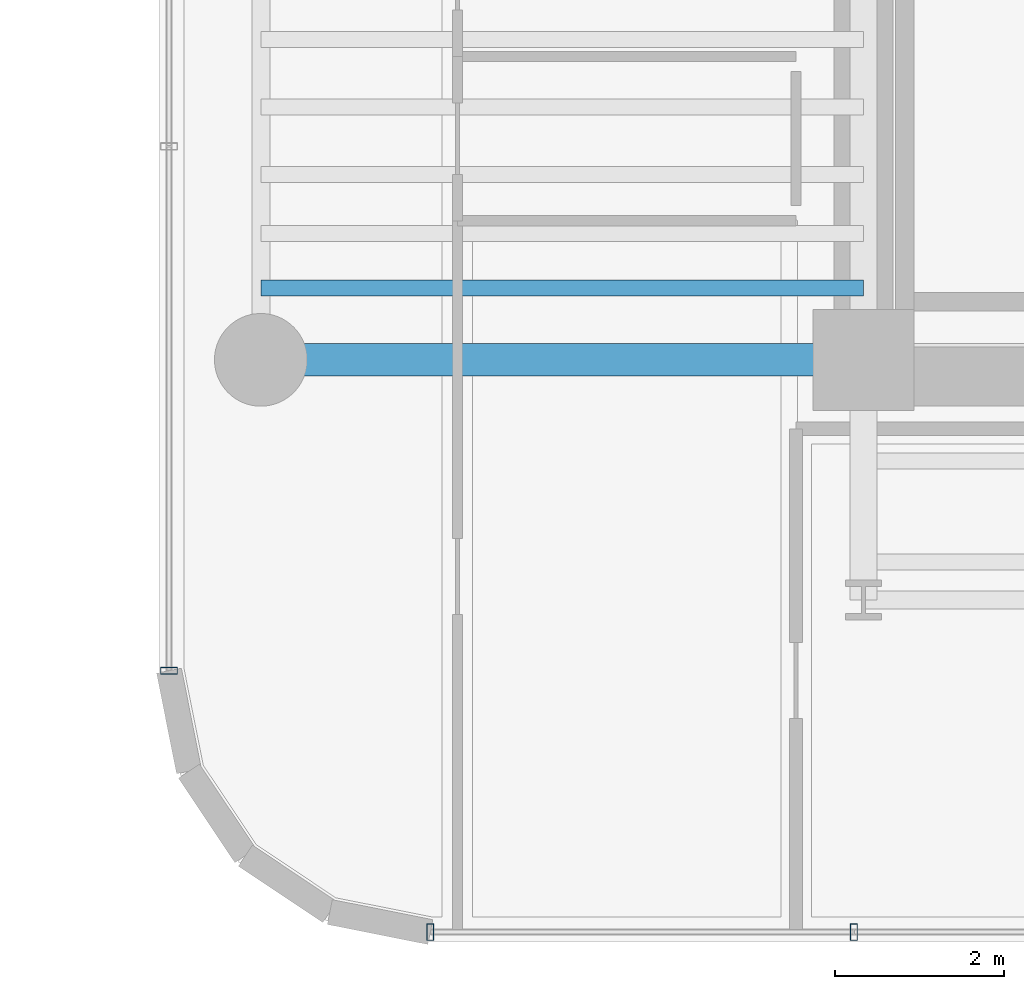
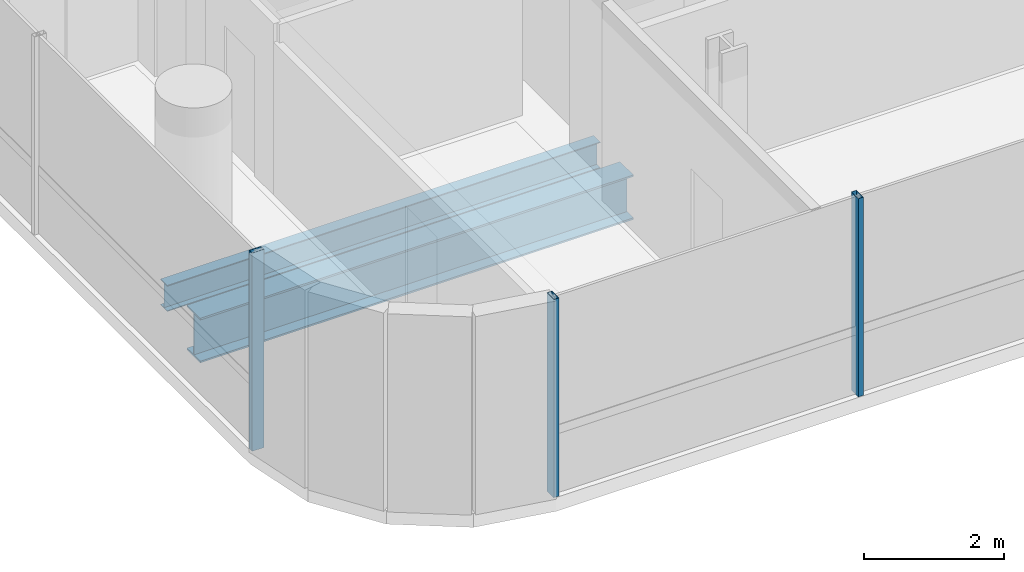
# One storey, part 2 of 35: 3 members, 2 beams, 2 elements without a shape of their own.
"""IFC4 building model written with IfcOpenShell, lengths in metres."""

from ifc_helpers import new_model, si_unit, direction, frame, origin, origin_2d, place, context, subcontext, project, spatial, hollow_rectangle, i_section, extrude, source, transform, mapped, material, material_profile, profile_set, type_object, element, aggregate, save


model = new_model("IFC4")

# Units and contexts
model_context = context("Model", 3, precision=1e-05, world=origin(), true_north=direction((0.0, 1.0)))
body_context = subcontext(model_context, "Body", "Model", "MODEL_VIEW")
ifc_project = project(units=[si_unit("LENGTHUNIT", "METRE"), si_unit("AREAUNIT", "SQUARE_METRE"), si_unit("VOLUMEUNIT", "CUBIC_METRE"), si_unit("PLANEANGLEUNIT", "RADIAN"), si_unit("MASSUNIT", "GRAM", prefix="KILO")], contexts=[model_context])

# Site, building, storey
site_placement = place(None, origin())
site = spatial("IfcSite", under=ifc_project, at=site_placement, CompositionType="ELEMENT")
building_placement = place(site_placement, origin())
building = spatial("IfcBuilding", under=site, at=building_placement, Name="Valdorenza Pilgrim Sanctuary Tower", CompositionType="ELEMENT")
storey_placement = place(building_placement, frame((0.0, 0.0, 150.10009765625)))
storey = spatial("IfcBuildingStorey", under=building, at=storey_placement, Name="L38", CompositionType="ELEMENT", Elevation=150.10009765625)

# Beams
ifc_material_1 = material(Name="Steel ASTM A992 Grade 50", Category="steel")
ifc_material_profile_1 = material_profile(ifc_material_1, i_section(OverallWidth=0.382080078125, OverallDepth=0.779052734375, WebThickness=0.01806640625, FlangeThickness=0.030029296875, at=origin_2d()), Name="W30X191")
ifc_profile_set_1 = profile_set([ifc_material_profile_1], Name="Steel ASTM A992 Grade 50")
beam_type_1 = type_object("IfcBeamType", Name="STR-BM-GRD-W30", PredefinedType="BEAM", material=ifc_profile_set_1)
shared_shape_1 = source(origin(), body_context, "Body", "SweptSolid", [
    extrude(i_section(OverallWidth=0.382080078125, OverallDepth=0.779052734375, WebThickness=0.01806640625, FlangeThickness=0.030029296875, at=origin_2d()), origin(), (0.0, 0.0, 1.0), 7.150146484375),
])
beam_1_placement = place(storey_placement, frame((-29.800048828125, -10.60009765625, -0.629638671875), z_axis=(1.0, 0.0, 0.0), x_axis=(0.0, 1.0, 0.0)))
element("IfcBeam", 1, at=beam_1_placement, inside=storey, type_object=beam_type_1, Name="L38 Floor Girder WA-XW-S1", PredefinedType="BEAM", context=body_context, shape_type="MappedRepresentation", body=[
    mapped(shared_shape_1, transform((0.0, 0.0, 0.0), x_axis=(1.0, 0.0, 0.0), y_axis=(0.0, 1.0, 0.0), z_axis=(0.0, 0.0, 1.0), scale=1.0)),
])
ifc_material_profile_2 = material_profile(ifc_material_1, i_section(OverallWidth=0.19091796875, OverallDepth=0.45703125, WebThickness=0.009033203125, FlangeThickness=0.014404296875, at=origin_2d()), Name="W18X50")
ifc_profile_set_2 = profile_set([ifc_material_profile_2], Name="Steel ASTM A992 Grade 50")
beam_type_2 = type_object("IfcBeamType", Name="STR-BM-JST-W18B", PredefinedType="JOIST", material=ifc_profile_set_2)
shared_shape_2 = source(origin(), body_context, "Body", "SweptSolid", [
    extrude(i_section(OverallWidth=0.19091796875, OverallDepth=0.45703125, WebThickness=0.009033203125, FlangeThickness=0.014404296875, at=origin_2d()), origin(), (0.0, 0.0, 1.0), 7.150146484375),
])
beam_2_placement = place(storey_placement, frame((-29.800048828125, -9.75, -0.468505859375), z_axis=(1.0, 0.0, 0.0), x_axis=(0.0, 1.0, 0.0)))
element("IfcBeam", 2, at=beam_2_placement, inside=storey, type_object=beam_type_2, Name="L38 Composite Floor Joist JST-WA-1", PredefinedType="JOIST", context=body_context, shape_type="MappedRepresentation", body=[
    mapped(shared_shape_2, transform((0.0, 0.0, 0.0), x_axis=(1.0, 0.0, 0.0), y_axis=(0.0, 1.0, 0.0), z_axis=(0.0, 0.0, 1.0), scale=1.0)),
])

# Curtain wall, member
ifc_material_2 = material(Name="Curtain-wall IGU glazing", Category="glass")
curtain_wall_type = type_object("IfcCurtainWallType", Name="CW-SYS-02", PredefinedType="NOTDEFINED", material=ifc_material_2)
curtain_wall_1_placement = place(storey_placement, origin())
curtain_wall_1 = element("IfcCurtainWall", 3, at=curtain_wall_1_placement, inside=storey, type_object=curtain_wall_type, Name="L38 Curtain Wall CW-L38-1-1S1", PredefinedType="NOTDEFINED")
ifc_material_3 = material(Name="Anodised aluminium AW-6060", Category="aluminium")
ifc_material_profile_3 = material_profile(ifc_material_3, hollow_rectangle(XDim=0.0849609375, YDim=0.199951171875, WallThickness=0.0048828125, at=origin_2d()), Name="ALU-M 200x85x5")
ifc_profile_set_3 = profile_set([ifc_material_profile_3], Name="Anodised aluminium AW-6060")
member_type = type_object("IfcMemberType", Name="CW-MUL-02", PredefinedType="MULLION", material=ifc_profile_set_3)
shared_shape_3 = source(origin(), body_context, "Body", "SweptSolid", [
    extrude(hollow_rectangle(XDim=0.0849609375, YDim=0.199951171875, WallThickness=0.0048828125, at=origin_2d()), origin(), (0.0, 0.0, 1.0), 3.4599609375),
])
member_1_placement = place(storey_placement, frame((-30.889892578125, -14.289306640625, 0.0), z_axis=(0.0, 0.0, 1.0), x_axis=(0.0, 1.0, 0.0)))
member_1 = element("IfcMember", 4, at=member_1_placement, type_object=member_type, Name="CW-L38-1-1S1 Mullion 1", PredefinedType="MULLION", context=body_context, shape_type="MappedRepresentation", body=[
    mapped(shared_shape_3, transform((0.0, 0.0, 0.0), x_axis=(1.0, 0.0, 0.0), y_axis=(0.0, 1.0, 0.0), z_axis=(0.0, 0.0, 1.0), scale=1.0)),
])
aggregate(curtain_wall_1, [member_1])

# Curtain wall, members
curtain_wall_2_placement = place(storey_placement, origin())
curtain_wall_2 = element("IfcCurtainWall", 5, at=curtain_wall_2_placement, inside=storey, type_object=curtain_wall_type, Name="L38 Curtain Wall CW-L38-1-46", PredefinedType="NOTDEFINED")
member_2_placement = place(storey_placement, frame((-22.76318359375, -17.389892578125, 0.0), z_axis=(0.0, 0.0, 1.0), x_axis=(-1.0, 0.0, 0.0)))
member_2 = element("IfcMember", 6, at=member_2_placement, type_object=member_type, Name="CW-L38-1-46 Mullion 3", PredefinedType="MULLION", context=body_context, shape_type="MappedRepresentation", body=[
    mapped(shared_shape_3, transform((0.0, 0.0, 0.0), x_axis=(1.0, 0.0, 0.0), y_axis=(0.0, 1.0, 0.0), z_axis=(0.0, 0.0, 1.0), scale=1.0)),
])
member_3_placement = place(storey_placement, frame((-27.789306640625, -17.389892578125, 0.0), z_axis=(0.0, 0.0, 1.0), x_axis=(-1.0, 0.0, 0.0)))
member_3 = element("IfcMember", 7, at=member_3_placement, type_object=member_type, Name="CW-L38-1-46 Mullion 4", PredefinedType="MULLION", context=body_context, shape_type="MappedRepresentation", body=[
    mapped(shared_shape_3, transform((0.0, 0.0, 0.0), x_axis=(1.0, 0.0, 0.0), y_axis=(0.0, 1.0, 0.0), z_axis=(0.0, 0.0, 1.0), scale=1.0)),
])
aggregate(curtain_wall_2, [member_2, member_3])

save(model, "model.ifc")
